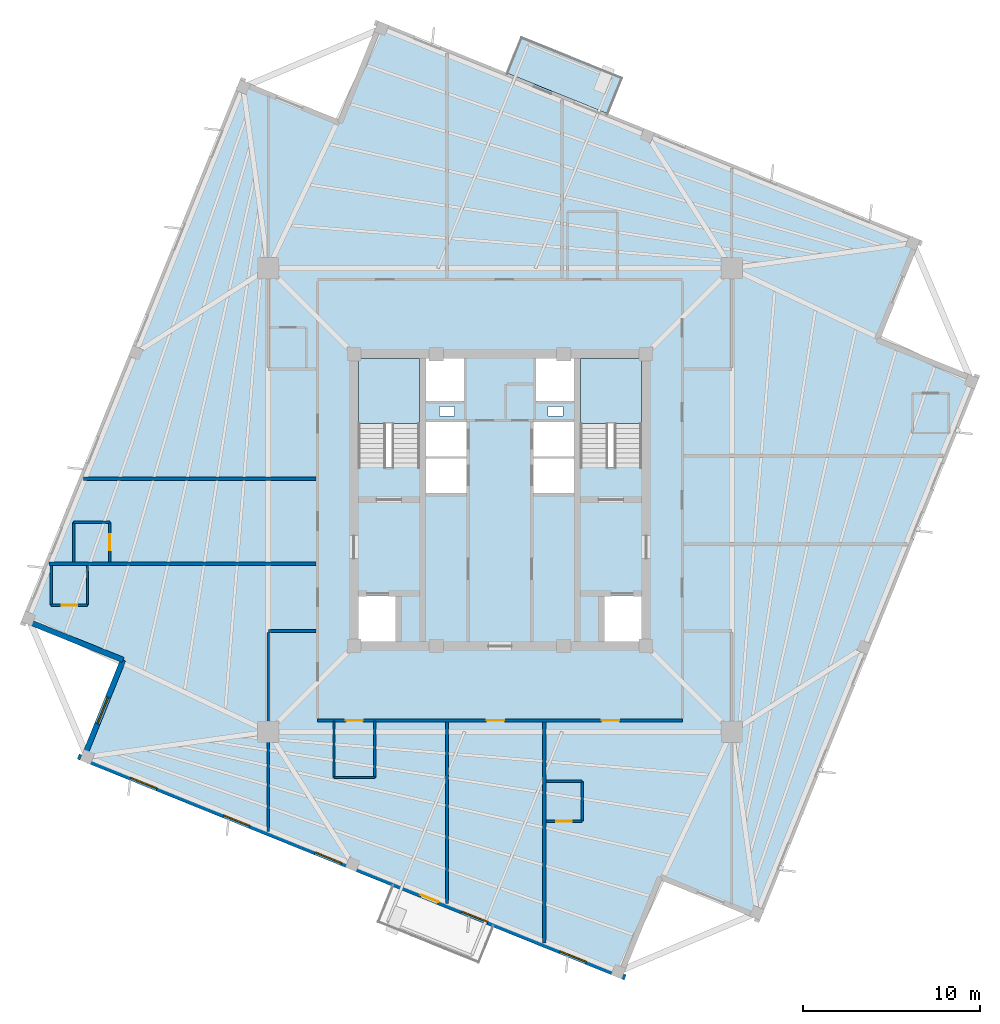
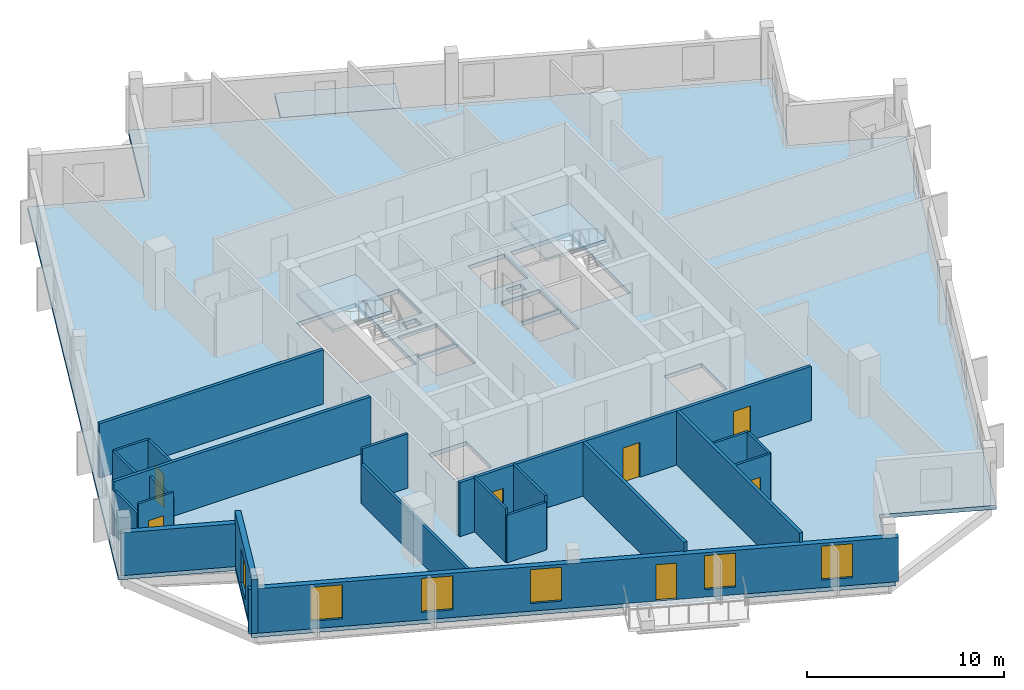
# One storey, part 2 of 8: 22 walls, 7 doors, 6 windows, 4 slabs, 13 openings, 2 elements without a shape of their own.
"""IFC4 building model written with IfcOpenShell, lengths in metres."""

from ifc_helpers import new_model, si_unit, direction, frame, frame_2d, origin, place, context, subcontext, project, spatial, polyline, rectangle, outline, extrude, source, transform, mapped, material, layer, layer_set, type_object, element, fill, aggregate, save


model = new_model("IFC4")

# Units and contexts
model_context = context("Model", 3, precision=1e-05, world=origin(), true_north=direction((0.0, 1.0)))
body_context = subcontext(model_context, "Body", "Model", "MODEL_VIEW")
ifc_project = project(units=[si_unit("LENGTHUNIT", "METRE"), si_unit("AREAUNIT", "SQUARE_METRE"), si_unit("VOLUMEUNIT", "CUBIC_METRE"), si_unit("PLANEANGLEUNIT", "RADIAN"), si_unit("MASSUNIT", "GRAM", prefix="KILO"), si_unit("THERMODYNAMICTEMPERATUREUNIT", "KELVIN")], contexts=[model_context])

# Site, building, storey
site_placement = place(None, origin())
site = spatial("IfcSite", under=ifc_project, at=site_placement, CompositionType="ELEMENT")
building_placement = place(site_placement, origin())
building = spatial("IfcBuilding", under=site, at=building_placement, Name="Kosmvard Interchange Tower", CompositionType="ELEMENT")
storey_placement = place(building_placement, frame((0.0, 0.0, 308.39990234375)))
storey = spatial("IfcBuildingStorey", under=building, at=storey_placement, Name="L76", CompositionType="ELEMENT", Elevation=308.39990234375)

# Slab
ifc_material_1 = material(Name="Concrete C50/60", Category="concrete")
ifc_layer_1 = layer(ifc_material_1, 0.25, Name="Concrete C50/60")
ifc_layer_set_1 = layer_set([ifc_layer_1], Name="Concrete C50/60")
slab_type_1 = type_object("IfcSlabType", Name="Hotel Acoustic Floor Slab 250 C50/60", PredefinedType="FLOOR", material=ifc_layer_set_1)
slab_1_placement = place(storey_placement, frame((0.0, 0.0, -0.25)))
element("IfcSlab", 1, at=slab_1_placement, inside=storey, type_object=slab_type_1, Name="L76 Structural Floor Slab", PredefinedType="FLOOR", context=body_context, shape_type="SweptSolid", body=[
    extrude(outline(polyline([(14.6806640625, -23.727294921875), (27.042724609375, 6.869873046875), (21.4794921875, 9.117431640625), (23.727294921875, 14.6806640625), (-6.869873046875, 27.042724609375), (-9.117431640625, 21.4794921875), (-14.6806640625, 23.727294921875), (-27.042724609375, -6.869873046875), (-21.4794921875, -9.117431640625), (-23.727294921875, -14.6806640625), (6.869873046875, -27.042724609375), (9.117431640625, -21.4794921875), (14.6806640625, -23.727294921875)]), holes=[polyline([(-8.0, 1.8349609375), (-4.5400390625, 1.8349609375), (-4.5400390625, 8.0), (-8.0, 8.0), (-8.0, 1.8349609375)]), polyline([(4.5400390625, 1.8349609375), (8.0, 1.8349609375), (8.0, 8.0), (4.5400390625, 8.0), (4.5400390625, 1.8349609375)]), polyline([(-8.0, -8.0), (-5.800048828125, -8.0), (-5.800048828125, -5.39990234375), (-8.0, -5.39990234375), (-8.0, -8.0)]), polyline([(5.800048828125, -8.0), (8.0, -8.0), (8.0, -5.39990234375), (5.800048828125, -5.39990234375), (5.800048828125, -8.0)]), polyline([(-4.179931640625, 0.39990234375), (-1.8798828125, 0.39990234375), (-1.8798828125, 2.340087890625), (-4.179931640625, 2.340087890625), (-4.179931640625, 0.39990234375)]), polyline([(-4.179931640625, 2.4599609375), (-1.8798828125, 2.4599609375), (-1.8798828125, 4.39990234375), (-4.179931640625, 4.39990234375), (-4.179931640625, 2.4599609375)]), polyline([(1.8798828125, 0.39990234375), (4.179931640625, 0.39990234375), (4.179931640625, 2.340087890625), (1.8798828125, 2.340087890625), (1.8798828125, 0.39990234375)]), polyline([(1.8798828125, 2.4599609375), (4.179931640625, 2.4599609375), (4.179931640625, 4.39990234375), (1.8798828125, 4.39990234375), (1.8798828125, 2.4599609375)]), polyline([(-4.179931640625, 5.60009765625), (-2.0400390625, 5.60009765625), (-2.0400390625, 8.0), (-4.179931640625, 8.0), (-4.179931640625, 5.60009765625)]), polyline([(2.0400390625, 5.60009765625), (4.179931640625, 5.60009765625), (4.179931640625, 8.0), (2.0400390625, 8.0), (2.0400390625, 5.60009765625)]), polyline([(-3.4150390625, 4.739990234375), (-2.56494140625, 4.739990234375), (-2.56494140625, 5.2900390625), (-3.4150390625, 5.2900390625), (-3.4150390625, 4.739990234375)]), polyline([(2.715087890625, 4.739990234375), (3.56494140625, 4.739990234375), (3.56494140625, 5.2900390625), (2.715087890625, 5.2900390625), (2.715087890625, 4.739990234375)])]), origin(), (0.0, 0.0, 1.0), 0.25),
])

# Stair, slab
stair_type = type_object("IfcStairType", Name="Dog-Leg Core Exit Stair H3600 C50/60", PredefinedType="HALF_TURN_STAIR", material=ifc_material_1)
stair_1_placement = place(storey_placement, origin())
stair_1 = element("IfcStair", 2, at=stair_1_placement, inside=storey, type_object=stair_type, Name="L76 Protected Exit Stair ST-1", PredefinedType="HALF_TURN_STAIR")
ifc_layer_2 = layer(ifc_material_1, 0.199951171875, Name="Concrete C50/60")
ifc_layer_set_2 = layer_set([ifc_layer_2], Name="Concrete C50/60")
slab_type_2 = type_object("IfcSlabType", Name="Stair Half-Landing Slab 200 C50/60", PredefinedType="LANDING", material=ifc_layer_set_2)
slab_2_placement = place(storey_placement, frame((0.0, 0.0, 1.60009765625)))
slab_2 = element("IfcSlab", 3, at=slab_2_placement, type_object=slab_type_2, Name="ST-1 landing 1", PredefinedType="LANDING", context=body_context, shape_type="SweptSolid", body=[
    extrude(outline(polyline([(-4.5400390625, 4.320068359375), (-4.5400390625, 8.0), (-8.0, 8.0), (-8.0, 4.320068359375), (-4.5400390625, 4.320068359375)])), origin(), (0.0, 0.0, 1.0), 0.199951171875),
])
aggregate(stair_1, [slab_2])

stair_2_placement = place(storey_placement, origin())
stair_2 = element("IfcStair", 4, at=stair_2_placement, inside=storey, type_object=stair_type, Name="L76 Protected Exit Stair ST-2", PredefinedType="HALF_TURN_STAIR")
slab_3_placement = place(storey_placement, frame((0.0, 0.0, 1.60009765625)))
slab_3 = element("IfcSlab", 5, at=slab_3_placement, type_object=slab_type_2, Name="ST-2 landing 1", PredefinedType="LANDING", context=body_context, shape_type="SweptSolid", body=[
    extrude(outline(polyline([(8.0, 4.320068359375), (8.0, 8.0), (4.5400390625, 8.0), (4.5400390625, 4.320068359375), (8.0, 4.320068359375)])), origin(), (0.0, 0.0, 1.0), 0.199951171875),
])
aggregate(stair_2, [slab_3])

# Slab
ifc_layer_3 = layer(ifc_material_1, 0.22998046875, Name="Concrete C50/60")
ifc_layer_set_3 = layer_set([ifc_layer_3], Name="Concrete C50/60")
slab_type_3 = type_object("IfcSlabType", Name="Tree-Planter Cantilever Balcony Slab 230 C50/60", PredefinedType="FLOOR", material=ifc_layer_set_3)
slab_4_placement = place(storey_placement, frame((0.0, 0.0, -0.22998046875)))
element("IfcSlab", 6, at=slab_4_placement, inside=storey, type_object=slab_type_3, Name="L76 Outdoor Terrace Balcony Slab BAL-L76-E", PredefinedType="FLOOR", context=body_context, shape_type="SweptSolid", body=[
    extrude(outline(polyline([(6.110595703125, 21.798095703125), (6.934814453125, 23.837890625), (1.186279296875, 26.160400390625), (0.362060546875, 24.12060546875), (6.110595703125, 21.798095703125)])), origin(), (0.0, 0.0, 1.0), 0.22998046875),
])

# Walls
ifc_material_2 = material(Name="Acoustic gypsum partition system")
ifc_layer_4 = layer(ifc_material_2, 0.14990234375, Name="Acoustic gypsum partition system")
ifc_layer_set_4 = layer_set([ifc_layer_4], Name="Acoustic gypsum partition system")
wall_type_1 = type_object("IfcWallType", Name="Acoustic Suite & Meeting Partition 150", PredefinedType="PARTITIONING", material=ifc_layer_set_4)
wall_1_placement = place(storey_placement, frame((-10.39501953125, -7.39990234375, 0.0), z_axis=(0.0, 0.0, 1.0), x_axis=(-1.0, 0.0, 0.0)))
element("IfcWall", 7, at=wall_1_placement, inside=storey, type_object=wall_type_1, Name="L76 Room Partition 15.1", PredefinedType="PARTITIONING", context=body_context, shape_type="SweptSolid", body=[
    extrude(rectangle(XDim=2.68603515625, YDim=0.14990234375, at=frame_2d((1.343017578125, 0.0))), origin(), (0.0, 0.0, 1.0), 3.35009765625),
])
wall_2_placement = place(storey_placement, frame((-13.0810546875, -7.47509765625, 0.0), z_axis=(0.0, 0.0, 1.0), x_axis=(0.0, -1.0, 0.0)))
element("IfcWall", 8, at=wall_2_placement, inside=storey, type_object=wall_type_1, Name="L76 Room Partition 16.1", PredefinedType="PARTITIONING", context=body_context, shape_type="SweptSolid", body=[
    extrude(rectangle(XDim=11.24267578125, YDim=0.14990234375, at=frame_2d((5.621337890625, 0.0))), origin(), (0.0, 0.0, 1.0), 2.4501953125),
])

# Wall, openings, doors
ifc_material_3 = material(Name="Fire-rated gypsum partition system")
ifc_layer_5 = layer(ifc_material_3, 0.179931640625, Name="Fire-rated gypsum partition system")
ifc_layer_set_5 = layer_set([ifc_layer_5], Name="Fire-rated gypsum partition system")
wall_type_2 = type_object("IfcWallType", Name="Corridor & Hotel Compartment Partition 180", PredefinedType="PARTITIONING", material=ifc_layer_set_5)
wall_3_placement = place(storey_placement, frame((-10.300048828125, -12.449951171875, 0.0), z_axis=(0.0, 0.0, 1.0), x_axis=(1.0, 0.0, 0.0)))
wall_3 = element("IfcWall", 9, at=wall_3_placement, inside=storey, type_object=wall_type_2, Name="L76 Corridor Wall CS", PredefinedType="PARTITIONING", context=body_context, shape_type="SweptSolid", body=[
    extrude(rectangle(XDim=20.60009765625, YDim=0.179931640625, at=frame_2d((10.300048828125, 0.0))), origin(), (0.0, 0.0, 1.0), 3.35009765625),
])
opening_1_placement = place(wall_3_placement, frame((1.60498046875, 0.0, 0.0)))
opening_1 = element("IfcOpeningElement", 10, at=opening_1_placement, cuts=wall_3, Name="Opening L76-D01", PredefinedType="OPENING", context=body_context, shape_type="SweptSolid", body=[
    extrude(rectangle(XDim=0.949951171875, YDim=2.10009765625, at=frame_2d((0.47509765625, 1.050048828125))), frame((0.0, 0.10009765625, 0.0), z_axis=(0.0, -1.0, 0.0), x_axis=(1.0, 0.0, 0.0)), (0.0, 0.0, 1.0), 0.199951171875),
])
opening_2_placement = place(wall_3_placement, frame((16.03564453125, 0.0, 0.0)))
opening_2 = element("IfcOpeningElement", 11, at=opening_2_placement, cuts=wall_3, Name="Opening L76-D12", PredefinedType="OPENING", context=body_context, shape_type="SweptSolid", body=[
    extrude(rectangle(XDim=1.0, YDim=2.14990234375, at=frame_2d((0.5, 1.074951171875))), frame((0.0, 0.10009765625, 0.0), z_axis=(0.0, -1.0, 0.0), x_axis=(1.0, 0.0, 0.0)), (0.0, 0.0, 1.0), 0.199951171875),
])
opening_3_placement = place(wall_3_placement, frame((9.550048828125, 0.0, 0.0)))
opening_3 = element("IfcOpeningElement", 12, at=opening_3_placement, cuts=wall_3, Name="Opening L76-D14", PredefinedType="OPENING", context=body_context, shape_type="SweptSolid", body=[
    extrude(rectangle(XDim=1.0, YDim=2.14990234375, at=frame_2d((0.5, 1.074951171875))), frame((0.0, 0.10009765625, 0.0), z_axis=(0.0, -1.0, 0.0), x_axis=(1.0, 0.0, 0.0)), (0.0, 0.0, 1.0), 0.199951171875),
])
ifc_material_4 = material(Name="Laminated moisture-resistant timber", Category="wood")
door_type_1 = type_object("IfcDoorType", Name="Accessible Washroom Door 950x2100", OperationType="NOTDEFINED", PredefinedType="DOOR", material=ifc_material_4)
shared_shape_1 = source(origin(), body_context, "Body", "SweptSolid", [
    extrude(rectangle(XDim=0.949951171875, YDim=2.10009765625, at=frame_2d((0.47509765625, 1.050048828125))), frame((0.0, 0.02490234375, 0.0), z_axis=(0.0, -1.0, 0.0), x_axis=(1.0, 0.0, 0.0)), (0.0, 0.0, 1.0), 0.050048828125),
])
door_1_placement = place(opening_1_placement, frame((0.949951171875, 0.0, 0.0), z_axis=(0.0, 0.0, 1.0), x_axis=(-1.0, 0.0, 0.0)))
door_1 = element("IfcDoor", 13, at=door_1_placement, inside=storey, type_object=door_type_1, Name="L76 Accessible Guest Toilet Door", OperationType="SINGLE_SWING_LEFT", OverallHeight=2.10009765625, OverallWidth=0.949951171875, PredefinedType="DOOR", context=body_context, shape_type="MappedRepresentation", body=[
    mapped(shared_shape_1, transform((0.0, 0.0, 0.0), scale=1.0)),
])
fill(opening_1, door_1)
ifc_material_5 = material(Name="Engineered oak fire-rated timber", Category="wood")
door_type_2 = type_object("IfcDoorType", Name="Hotel Guestroom Entrance Door 1000x2150 EI60", OperationType="NOTDEFINED", PredefinedType="DOOR", material=ifc_material_5)
shared_shape_2 = source(origin(), body_context, "Body", "SweptSolid", [
    extrude(rectangle(XDim=1.0, YDim=2.14990234375, at=frame_2d((0.5, 1.074951171875))), frame((0.0, 0.02490234375, 0.0), z_axis=(0.0, -1.0, 0.0), x_axis=(1.0, 0.0, 0.0)), (0.0, 0.0, 1.0), 0.050048828125),
])
door_2_placement = place(opening_2_placement, frame((1.0, 0.0, 0.0), z_axis=(0.0, 0.0, 1.0), x_axis=(-1.0, 0.0, 0.0)))
door_2 = element("IfcDoor", 14, at=door_2_placement, inside=storey, type_object=door_type_2, Name="L76 Hotel Ambassador Suite 3 Door", OperationType="SINGLE_SWING_RIGHT", OverallHeight=2.14990234375, OverallWidth=1.0, PredefinedType="DOOR", context=body_context, shape_type="MappedRepresentation", body=[
    mapped(shared_shape_2, transform((0.0, 0.0, 0.0), scale=1.0)),
])
fill(opening_2, door_2)
door_3_placement = place(opening_3_placement, frame((1.0, 0.0, 0.0), z_axis=(0.0, 0.0, 1.0), x_axis=(-1.0, 0.0, 0.0)))
door_3 = element("IfcDoor", 15, at=door_3_placement, inside=storey, type_object=door_type_2, Name="L76 Housekeeping and Linen Room Door", OperationType="SINGLE_SWING_RIGHT", OverallHeight=2.14990234375, OverallWidth=1.0, PredefinedType="DOOR", context=body_context, shape_type="MappedRepresentation", body=[
    mapped(shared_shape_2, transform((0.0, 0.0, 0.0), scale=1.0)),
])
fill(opening_3, door_3)

# Walls
wall_4_placement = place(storey_placement, frame((2.5, -12.544921875, 0.0), z_axis=(0.0, 0.0, 1.0), x_axis=(0.0, -1.0, 0.0)))
element("IfcWall", 16, at=wall_4_placement, inside=storey, type_object=wall_type_2, Name="L76 Room Partition 05.1", PredefinedType="PARTITIONING", context=body_context, shape_type="SweptSolid", body=[
    extrude(rectangle(XDim=12.468017578125, YDim=0.179931640625, at=frame_2d((6.23388671875, 0.0))), origin(), (0.0, 0.0, 1.0), 3.35009765625),
])
wall_5_placement = place(storey_placement, frame((-3.0, -12.544921875, 0.0), z_axis=(0.0, 0.0, 1.0), x_axis=(0.0, -1.0, 0.0)))
element("IfcWall", 17, at=wall_5_placement, inside=storey, type_object=wall_type_2, Name="L76 Room Partition 06.1", PredefinedType="PARTITIONING", context=body_context, shape_type="SweptSolid", body=[
    extrude(rectangle(XDim=10.245849609375, YDim=0.179931640625, at=frame_2d((5.123046875, 0.0))), origin(), (0.0, 0.0, 1.0), 3.35009765625),
])
wall_6_placement = place(storey_placement, frame((-10.39501953125, -3.60009765625, 0.0), z_axis=(0.0, 0.0, 1.0), x_axis=(-1.0, 0.0, 0.0)))
element("IfcWall", 18, at=wall_6_placement, inside=storey, type_object=wall_type_2, Name="L76 Room Partition 07.1", PredefinedType="PARTITIONING", context=body_context, shape_type="SweptSolid", body=[
    extrude(rectangle(XDim=15.062255859375, YDim=0.179931640625, at=frame_2d((7.53125, 0.0))), origin(), (0.0, 0.0, 1.0), 3.35009765625),
])
wall_7_placement = place(storey_placement, frame((-10.39501953125, 1.199951171875, 0.0), z_axis=(0.0, 0.0, 1.0), x_axis=(-1.0, 0.0, 0.0)))
element("IfcWall", 19, at=wall_7_placement, inside=storey, type_object=wall_type_2, Name="L76 Room Partition 08.1", PredefinedType="PARTITIONING", context=body_context, shape_type="SweptSolid", body=[
    extrude(rectangle(XDim=13.123046875, YDim=0.179931640625, at=frame_2d((6.5615234375, 0.0))), origin(), (0.0, 0.0, 1.0), 3.35009765625),
])
ifc_material_6 = material(Name="Precast concrete C45/55", Category="concrete")
ifc_layer_6 = layer(ifc_material_6, 0.31005859375, Name="Precast concrete C45/55")
ifc_layer_set_6 = layer_set([ifc_layer_6], Name="Precast concrete C45/55")
wall_type_3 = type_object("IfcWallType", Name="Upper Tower Precast Pier Wall 310 C45/55", PredefinedType="STANDARD", material=ifc_layer_set_6)
wall_8_placement = place(storey_placement, frame((-26.8408203125, -6.7841796875, 0.0), z_axis=(0.0, 0.0, 1.0), x_axis=(0.927171722085, -0.374636620962, 0.0)))
element("IfcWall", 20, at=wall_8_placement, inside=storey, type_object=wall_type_3, Name="L76 Precast Facade Wall N-NW1", PredefinedType="STANDARD", context=body_context, shape_type="SweptSolid", body=[
    extrude(rectangle(XDim=6.0, YDim=0.31005859375, at=frame_2d((3.0, 0.0))), origin(), (0.0, 0.0, 1.0), 2.650146484375),
])

# Wall, opening, window
wall_9_placement = place(storey_placement, frame((-21.27783203125, -9.031982421875, 0.0), z_axis=(0.0, 0.0, 1.0), x_axis=(-0.374602739196, -0.927185411764, 0.0)))
wall_9 = element("IfcWall", 21, at=wall_9_placement, inside=storey, type_object=wall_type_3, Name="L76 Precast Facade Wall N-NW2", PredefinedType="STANDARD", context=body_context, shape_type="SweptSolid", body=[
    extrude(rectangle(XDim=6.155029296875, YDim=0.31005859375, at=frame_2d((3.07763671875, 0.0))), origin(), (0.0, 0.0, 1.0), 3.35009765625),
])
opening_4_placement = place(wall_9_placement, frame((2.277587890625, 0.0, 0.469970703125)))
opening_4 = element("IfcOpeningElement", 22, at=opening_4_placement, cuts=wall_9, Name="Opening L76-W23", PredefinedType="OPENING", context=body_context, shape_type="SweptSolid", body=[
    extrude(rectangle(XDim=1.60009765625, YDim=2.10009765625, at=frame_2d((0.800048828125, 1.050048828125))), frame((0.0, 0.1650390625, 0.0), z_axis=(0.0, -1.0, 0.0), x_axis=(1.0, 0.0, 0.0)), (0.0, 0.0, 1.0), 0.330078125),
])
ifc_material_7 = material(Name="Low-E acoustic double glazing", Category="glass")
window_type = type_object("IfcWindowType", Name="Zone 5 Hotel Punched Window 1600x2100", PartitioningType="SINGLE_PANEL", PredefinedType="WINDOW", material=ifc_material_7)
shared_shape_3 = source(origin(), body_context, "Body", "SweptSolid", [
    extrude(rectangle(XDim=1.60009765625, YDim=2.10009765625, at=frame_2d((0.800048828125, 1.050048828125))), frame((0.0, 0.030029296875, 0.0), z_axis=(0.0, -1.0, 0.0), x_axis=(1.0, 0.0, 0.0)), (0.0, 0.0, 1.0), 0.06005859375),
])
window_1_placement = place(opening_4_placement, origin())
window_1 = element("IfcWindow", 23, at=window_1_placement, inside=storey, type_object=window_type, Name="L76 Corner Notch Window 23", OverallHeight=2.10009765625, OverallWidth=1.60009765625, PartitioningType="SINGLE_PANEL", PredefinedType="WINDOW", context=body_context, shape_type="MappedRepresentation", body=[
    mapped(shared_shape_3, transform((0.0, 0.0, 0.0), scale=1.0)),
])
fill(opening_4, window_1)

# Wall, openings, door, windows
wall_10_placement = place(storey_placement, frame((-23.812744140625, -14.478759765625, 0.0), z_axis=(0.0, 0.0, 1.0), x_axis=(0.927182657188, -0.374609557019, 0.0)))
wall_10 = element("IfcWall", 24, at=wall_10_placement, inside=storey, type_object=wall_type_3, Name="L76 Precast Facade Wall F-W", PredefinedType="STANDARD", context=body_context, shape_type="SweptSolid", body=[
    extrude(rectangle(XDim=33.31005859375, YDim=0.31005859375, at=frame_2d((16.655029296875, 0.0))), origin(), (0.0, 0.0, 1.0), 2.75),
])
opening_5_placement = place(wall_10_placement, frame((20.8798828125, 0.0, 0.0)))
opening_5 = element("IfcOpeningElement", 25, at=opening_5_placement, cuts=wall_10, Name="Opening L76-BDW", PredefinedType="OPENING", context=body_context, shape_type="SweptSolid", body=[
    extrude(rectangle(XDim=1.050048828125, YDim=2.25, at=frame_2d((0.52490234375, 1.125))), frame((0.0, 0.1650390625, 0.0), z_axis=(0.0, -1.0, 0.0), x_axis=(1.0, 0.0, 0.0)), (0.0, 0.0, 1.0), 0.330078125),
])
opening_6_placement = place(wall_10_placement, frame((3.197265625, 0.0, 0.469970703125)))
opening_6 = element("IfcOpeningElement", 26, at=opening_6_placement, cuts=wall_10, Name="Opening L76-W16", PredefinedType="OPENING", context=body_context, shape_type="SweptSolid", body=[
    extrude(rectangle(XDim=1.60009765625, YDim=2.10009765625, at=frame_2d((0.800048828125, 1.050048828125))), frame((0.0, 0.1650390625, 0.0), z_axis=(0.0, -1.0, 0.0), x_axis=(1.0, 0.0, 0.0)), (0.0, 0.0, 1.0), 0.330078125),
])
opening_7_placement = place(wall_10_placement, frame((8.85986328125, 0.0, 0.469970703125)))
opening_7 = element("IfcOpeningElement", 27, at=opening_7_placement, cuts=wall_10, Name="Opening L76-W17", PredefinedType="OPENING", context=body_context, shape_type="SweptSolid", body=[
    extrude(rectangle(XDim=1.60009765625, YDim=2.10009765625, at=frame_2d((0.800048828125, 1.050048828125))), frame((0.0, 0.1650390625, 0.0), z_axis=(0.0, -1.0, 0.0), x_axis=(1.0, 0.0, 0.0)), (0.0, 0.0, 1.0), 0.330078125),
])
opening_8_placement = place(wall_10_placement, frame((14.438720703125, 0.0, 0.469970703125)))
opening_8 = element("IfcOpeningElement", 28, at=opening_8_placement, cuts=wall_10, Name="Opening L76-W18", PredefinedType="OPENING", context=body_context, shape_type="SweptSolid", body=[
    extrude(rectangle(XDim=1.60009765625, YDim=2.10009765625, at=frame_2d((0.800048828125, 1.050048828125))), frame((0.0, 0.1650390625, 0.0), z_axis=(0.0, -1.0, 0.0), x_axis=(1.0, 0.0, 0.0)), (0.0, 0.0, 1.0), 0.330078125),
])
opening_9_placement = place(wall_10_placement, frame((23.350830078125, 0.0, 0.469970703125)))
opening_9 = element("IfcOpeningElement", 29, at=opening_9_placement, cuts=wall_10, Name="Opening L76-W19", PredefinedType="OPENING", context=body_context, shape_type="SweptSolid", body=[
    extrude(rectangle(XDim=1.60009765625, YDim=2.10009765625, at=frame_2d((0.800048828125, 1.050048828125))), frame((0.0, 0.1650390625, 0.0), z_axis=(0.0, -1.0, 0.0), x_axis=(1.0, 0.0, 0.0)), (0.0, 0.0, 1.0), 0.330078125),
])
opening_10_placement = place(wall_10_placement, frame((29.3466796875, 0.0, 0.469970703125)))
opening_10 = element("IfcOpeningElement", 30, at=opening_10_placement, cuts=wall_10, Name="Opening L76-W20", PredefinedType="OPENING", context=body_context, shape_type="SweptSolid", body=[
    extrude(rectangle(XDim=1.60009765625, YDim=2.10009765625, at=frame_2d((0.800048828125, 1.050048828125))), frame((0.0, 0.1650390625, 0.0), z_axis=(0.0, -1.0, 0.0), x_axis=(1.0, 0.0, 0.0)), (0.0, 0.0, 1.0), 0.330078125),
])
ifc_material_8 = material(Name="Anodised aluminium and safety glass", Category="aluminium")
door_type_3 = type_object("IfcDoorType", Name="Tree-Balcony Glazed Door 1050x2250", OperationType="NOTDEFINED", PredefinedType="DOOR", material=ifc_material_8)
shared_shape_4 = source(origin(), body_context, "Body", "SweptSolid", [
    extrude(rectangle(XDim=1.050048828125, YDim=2.25, at=frame_2d((0.52490234375, 1.125))), frame((0.0, 0.02490234375, 0.0), z_axis=(0.0, -1.0, 0.0), x_axis=(1.0, 0.0, 0.0)), (0.0, 0.0, 1.0), 0.050048828125),
])
door_4_placement = place(opening_5_placement, origin())
door_4 = element("IfcDoor", 31, at=door_4_placement, inside=storey, type_object=door_type_3, Name="L76 Tree-Balcony Door BAL-L76-W", OperationType="SINGLE_SWING_LEFT", OverallHeight=2.25, OverallWidth=1.050048828125, PredefinedType="DOOR", context=body_context, shape_type="MappedRepresentation", body=[
    mapped(shared_shape_4, transform((0.0, 0.0, 0.0), scale=1.0)),
])
fill(opening_5, door_4)
window_2_placement = place(opening_6_placement, origin())
window_2 = element("IfcWindow", 32, at=window_2_placement, inside=storey, type_object=window_type, Name="L76 Facade Punched Window 16", OverallHeight=2.10009765625, OverallWidth=1.60009765625, PartitioningType="SINGLE_PANEL", PredefinedType="WINDOW", context=body_context, shape_type="MappedRepresentation", body=[
    mapped(shared_shape_3, transform((0.0, 0.0, 0.0), scale=1.0)),
])
fill(opening_6, window_2)
window_3_placement = place(opening_7_placement, origin())
window_3 = element("IfcWindow", 33, at=window_3_placement, inside=storey, type_object=window_type, Name="L76 Facade Punched Window 17", OverallHeight=2.10009765625, OverallWidth=1.60009765625, PartitioningType="SINGLE_PANEL", PredefinedType="WINDOW", context=body_context, shape_type="MappedRepresentation", body=[
    mapped(shared_shape_3, transform((0.0, 0.0, 0.0), scale=1.0)),
])
fill(opening_7, window_3)
window_4_placement = place(opening_8_placement, origin())
window_4 = element("IfcWindow", 34, at=window_4_placement, inside=storey, type_object=window_type, Name="L76 Facade Punched Window 18", OverallHeight=2.10009765625, OverallWidth=1.60009765625, PartitioningType="SINGLE_PANEL", PredefinedType="WINDOW", context=body_context, shape_type="MappedRepresentation", body=[
    mapped(shared_shape_3, transform((0.0, 0.0, 0.0), scale=1.0)),
])
fill(opening_8, window_4)
window_5_placement = place(opening_9_placement, origin())
window_5 = element("IfcWindow", 35, at=window_5_placement, inside=storey, type_object=window_type, Name="L76 Facade Punched Window 19", OverallHeight=2.10009765625, OverallWidth=1.60009765625, PartitioningType="SINGLE_PANEL", PredefinedType="WINDOW", context=body_context, shape_type="MappedRepresentation", body=[
    mapped(shared_shape_3, transform((0.0, 0.0, 0.0), scale=1.0)),
])
fill(opening_9, window_5)
window_6_placement = place(opening_10_placement, origin())
window_6 = element("IfcWindow", 36, at=window_6_placement, inside=storey, type_object=window_type, Name="L76 Facade Punched Window 20", OverallHeight=2.10009765625, OverallWidth=1.60009765625, PartitioningType="SINGLE_PANEL", PredefinedType="WINDOW", context=body_context, shape_type="MappedRepresentation", body=[
    mapped(shared_shape_3, transform((0.0, 0.0, 0.0), scale=1.0)),
])
fill(opening_10, window_6)

# Walls
ifc_material_9 = material(Name="Moisture-resistant gypsum partition")
ifc_layer_7 = layer(ifc_material_9, 0.135009765625, Name="Moisture-resistant gypsum partition")
ifc_layer_set_7 = layer_set([ifc_layer_7], Name="Moisture-resistant gypsum partition")
wall_type_4 = type_object("IfcWallType", Name="Wet Room Moisture-Resistant Partition 135", PredefinedType="PARTITIONING", material=ifc_layer_set_7)
wall_11_placement = place(storey_placement, frame((-9.3701171875, -15.669921875, 0.0), z_axis=(0.0, 0.0, 1.0), x_axis=(1.0, 0.0, 0.0)))
element("IfcWall", 37, at=wall_11_placement, inside=storey, type_object=wall_type_4, Name="L76 Washroom Partition HAWC-S", PredefinedType="PARTITIONING", context=body_context, shape_type="SweptSolid", body=[
    extrude(rectangle(XDim=2.300048828125, YDim=0.135009765625, at=frame_2d((1.14990234375, 0.0))), origin(), (0.0, 0.0, 1.0), 2.9501953125),
])
for number, where, z_axis, x_axis, name in (
    (38, (-7.070068359375, -15.669921875, 0.0), (0.0, 0.0, 1.0), (0.0, 1.0, 0.0), "L76 Washroom Partition HAWC-E"),
    (39, (-9.3701171875, -15.669921875, 0.0), (0.0, 0.0, 1.0), (0.0, 1.0, 0.0), "L76 Washroom Partition HAWC-W"),
):
    element("IfcWall", number, at=place(storey_placement, frame(where, z_axis=z_axis, x_axis=x_axis)), inside=storey, type_object=wall_type_4, Name=name, PredefinedType="PARTITIONING", context=body_context, shape_type="SweptSolid", body=[
        extrude(rectangle(XDim=3.199951171875, YDim=0.135009765625, at=frame_2d((1.60009765625, 0.0))), origin(), (0.0, 0.0, 1.0), 3.35009765625),
    ])

# Wall, opening, door
wall_12_placement = place(storey_placement, frame((2.590087890625, -18.1357421875, 0.0), z_axis=(0.0, 0.0, 1.0), x_axis=(1.0, 0.0, 0.0)))
wall_12 = element("IfcWall", 40, at=wall_12_placement, inside=storey, type_object=wall_type_4, Name="L76 En-Suite Partition HPR3-S", PredefinedType="PARTITIONING", context=body_context, shape_type="SweptSolid", body=[
    extrude(rectangle(XDim=2.0498046875, YDim=0.135009765625, at=frame_2d((1.02490234375, 0.0))), origin(), (0.0, 0.0, 1.0), 3.35009765625),
])
opening_11_placement = place(wall_12_placement, frame((0.5849609375, 0.0, 0.0)))
opening_11 = element("IfcOpeningElement", 41, at=opening_11_placement, cuts=wall_12, Name="Opening L76-ED13", PredefinedType="OPENING", context=body_context, shape_type="SweptSolid", body=[
    extrude(rectangle(XDim=0.8798828125, YDim=2.10009765625, at=frame_2d((0.43994140625, 1.050048828125))), frame((0.0, 0.07763671875, 0.0), z_axis=(0.0, -1.0, 0.0), x_axis=(1.0, 0.0, 0.0)), (0.0, 0.0, 1.0), 0.155029296875),
])
door_type_4 = type_object("IfcDoorType", Name="En-Suite & Washroom Door 880x2100", OperationType="NOTDEFINED", PredefinedType="DOOR", material=ifc_material_4)
shared_shape_5 = source(origin(), body_context, "Body", "SweptSolid", [
    extrude(rectangle(XDim=0.8798828125, YDim=2.10009765625, at=frame_2d((0.43994140625, 1.050048828125))), frame((0.0, 0.02490234375, 0.0), z_axis=(0.0, -1.0, 0.0), x_axis=(1.0, 0.0, 0.0)), (0.0, 0.0, 1.0), 0.050048828125),
])
door_5_placement = place(opening_11_placement, origin())
door_5 = element("IfcDoor", 42, at=door_5_placement, inside=storey, type_object=door_type_4, Name="L76 HPR3 En-Suite Door", OperationType="SINGLE_SWING_RIGHT", OverallHeight=2.10009765625, OverallWidth=0.8798828125, PredefinedType="DOOR", context=body_context, shape_type="MappedRepresentation", body=[
    mapped(shared_shape_5, transform((0.0, 0.0, 0.0), scale=1.0)),
])
fill(opening_11, door_5)

# Walls
wall_13_placement = place(storey_placement, frame((4.639892578125, -18.1357421875, 0.0), z_axis=(0.0, 0.0, 1.0), x_axis=(0.0, 1.0, 0.0)))
element("IfcWall", 43, at=wall_13_placement, inside=storey, type_object=wall_type_4, Name="L76 En-Suite Partition HPR3-E", PredefinedType="PARTITIONING", context=body_context, shape_type="SweptSolid", body=[
    extrude(rectangle(XDim=2.25, YDim=0.135009765625, at=frame_2d((1.125, 0.0))), origin(), (0.0, 0.0, 1.0), 3.35009765625),
])
wall_14_placement = place(storey_placement, frame((2.590087890625, -15.8857421875, 0.0), z_axis=(0.0, 0.0, 1.0), x_axis=(1.0, 0.0, 0.0)))
element("IfcWall", 44, at=wall_14_placement, inside=storey, type_object=wall_type_4, Name="L76 En-Suite Partition HPR3-N", PredefinedType="PARTITIONING", context=body_context, shape_type="SweptSolid", body=[
    extrude(rectangle(XDim=2.0498046875, YDim=0.135009765625, at=frame_2d((1.02490234375, 0.0))), origin(), (0.0, 0.0, 1.0), 3.35009765625),
])

# Wall, opening, door
wall_15_placement = place(storey_placement, frame((-25.341552734375, -5.93994140625, 0.0), z_axis=(0.0, 0.0, 1.0), x_axis=(1.0, 0.0, 0.0)))
wall_15 = element("IfcWall", 45, at=wall_15_placement, inside=storey, type_object=wall_type_4, Name="L76 En-Suite Partition HGR1-S", PredefinedType="PARTITIONING", context=body_context, shape_type="SweptSolid", body=[
    extrude(rectangle(XDim=2.050048828125, YDim=0.135009765625, at=frame_2d((1.02490234375, 0.0))), origin(), (0.0, 0.0, 1.0), 3.35009765625),
])
opening_12_placement = place(wall_15_placement, frame((0.5849609375, 0.0, 0.0)))
opening_12 = element("IfcOpeningElement", 46, at=opening_12_placement, cuts=wall_15, Name="Opening L76-ED17", PredefinedType="OPENING", context=body_context, shape_type="SweptSolid", body=[
    extrude(rectangle(XDim=0.8798828125, YDim=2.10009765625, at=frame_2d((0.43994140625, 1.050048828125))), frame((0.0, 0.07763671875, 0.0), z_axis=(0.0, -1.0, 0.0), x_axis=(1.0, 0.0, 0.0)), (0.0, 0.0, 1.0), 0.155029296875),
])
door_6_placement = place(opening_12_placement, origin())
door_6 = element("IfcDoor", 47, at=door_6_placement, inside=storey, type_object=door_type_4, Name="L76 HGR1 En-Suite Door", OperationType="SINGLE_SWING_RIGHT", OverallHeight=2.10009765625, OverallWidth=0.8798828125, PredefinedType="DOOR", context=body_context, shape_type="MappedRepresentation", body=[
    mapped(shared_shape_5, transform((0.0, 0.0, 0.0), scale=1.0)),
])
fill(opening_12, door_6)

# Walls
wall_16_placement = place(storey_placement, frame((-23.29150390625, -5.93994140625, 0.0), z_axis=(0.0, 0.0, 1.0), x_axis=(0.0, 1.0, 0.0)))
element("IfcWall", 48, at=wall_16_placement, inside=storey, type_object=wall_type_4, Name="L76 En-Suite Partition HGR1-E", PredefinedType="PARTITIONING", context=body_context, shape_type="SweptSolid", body=[
    extrude(rectangle(XDim=2.25, YDim=0.135009765625, at=frame_2d((1.125, 0.0))), origin(), (0.0, 0.0, 1.0), 2.9501953125),
])
wall_17_placement = place(storey_placement, frame((-25.341552734375, -5.93994140625, 0.0), z_axis=(0.0, 0.0, 1.0), x_axis=(0.0, 1.0, 0.0)))
element("IfcWall", 49, at=wall_17_placement, inside=storey, type_object=wall_type_4, Name="L76 En-Suite Partition HGR1-W", PredefinedType="PARTITIONING", context=body_context, shape_type="SweptSolid", body=[
    extrude(rectangle(XDim=2.25, YDim=0.135009765625, at=frame_2d((1.125, 0.0))), origin(), (0.0, 0.0, 1.0), 2.75),
])

# Wall, opening, door
wall_18_placement = place(storey_placement, frame((-22.02392578125, -3.510009765625, 0.0), z_axis=(0.0, 0.0, 1.0), x_axis=(0.0, 1.0, 0.0)))
wall_18 = element("IfcWall", 50, at=wall_18_placement, inside=storey, type_object=wall_type_4, Name="L76 En-Suite Partition HPR4-E", PredefinedType="PARTITIONING", context=body_context, shape_type="SweptSolid", body=[
    extrude(rectangle(XDim=2.25, YDim=0.135009765625, at=frame_2d((1.125, 0.0))), origin(), (0.0, 0.0, 1.0), 3.35009765625),
])
opening_13_placement = place(wall_18_placement, frame((0.68505859375, 0.0, 0.0)))
opening_13 = element("IfcOpeningElement", 51, at=opening_13_placement, cuts=wall_18, Name="Opening L76-ED19", PredefinedType="OPENING", context=body_context, shape_type="SweptSolid", body=[
    extrude(rectangle(XDim=0.8798828125, YDim=2.10009765625, at=frame_2d((0.43994140625, 1.050048828125))), frame((0.0, 0.07763671875, 0.0), z_axis=(0.0, -1.0, 0.0), x_axis=(1.0, 0.0, 0.0)), (0.0, 0.0, 1.0), 0.155029296875),
])
door_7_placement = place(opening_13_placement, origin())
door_7 = element("IfcDoor", 52, at=door_7_placement, inside=storey, type_object=door_type_4, Name="L76 HPR4 En-Suite Door", OperationType="SINGLE_SWING_RIGHT", OverallHeight=2.10009765625, OverallWidth=0.8798828125, PredefinedType="DOOR", context=body_context, shape_type="MappedRepresentation", body=[
    mapped(shared_shape_5, transform((0.0, 0.0, 0.0), scale=1.0)),
])
fill(opening_13, door_7)

# Walls
wall_19_placement = place(storey_placement, frame((-24.073974609375, -1.260009765625, 0.0), z_axis=(0.0, 0.0, 1.0), x_axis=(1.0, 0.0, 0.0)))
element("IfcWall", 53, at=wall_19_placement, inside=storey, type_object=wall_type_4, Name="L76 En-Suite Partition HPR4-N", PredefinedType="PARTITIONING", context=body_context, shape_type="SweptSolid", body=[
    extrude(rectangle(XDim=2.050048828125, YDim=0.135009765625, at=frame_2d((1.02490234375, 0.0))), origin(), (0.0, 0.0, 1.0), 3.35009765625),
])
wall_20_placement = place(storey_placement, frame((-24.073974609375, -3.510009765625, 0.0), z_axis=(0.0, 0.0, 1.0), x_axis=(0.0, 1.0, 0.0)))
element("IfcWall", 54, at=wall_20_placement, inside=storey, type_object=wall_type_4, Name="L76 En-Suite Partition HPR4-W", PredefinedType="PARTITIONING", context=body_context, shape_type="SweptSolid", body=[
    extrude(rectangle(XDim=2.25, YDim=0.135009765625, at=frame_2d((1.125, 0.0))), origin(), (0.0, 0.0, 1.0), 3.35009765625),
])

save(model, "model.ifc")
